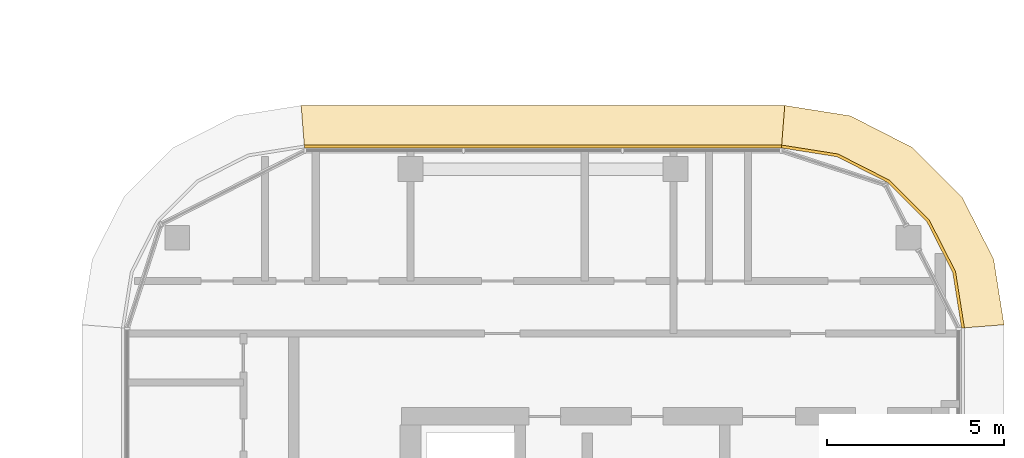
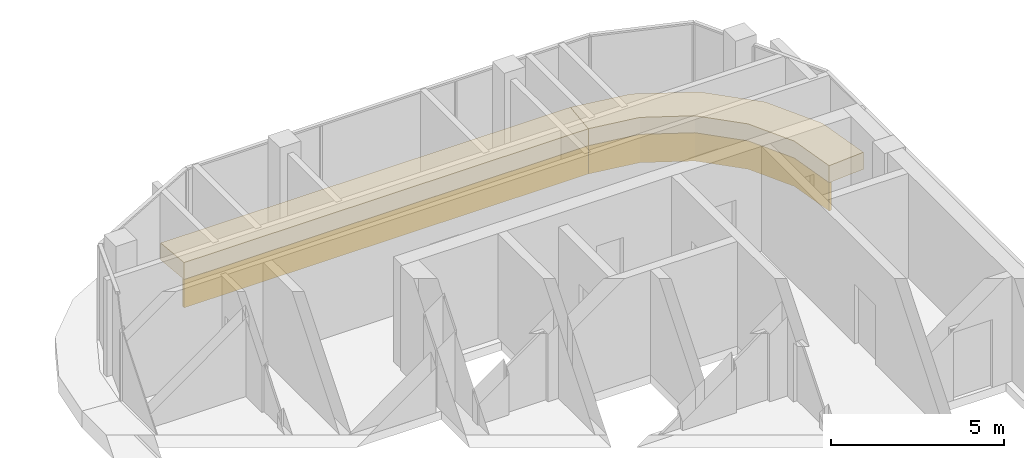
# One storey, part 33 of 33: 4 coverings.
"""IFC4 building model written with IfcOpenShell, lengths in metres."""

from ifc_helpers import new_model, si_unit, direction, frame, origin, place, context, subcontext, project, spatial, polyline, outline, extrude, material, layer, layer_set, type_object, element, save


model = new_model("IFC4")

# Units and contexts
model_context = context("Model", 3, precision=1e-05, world=origin(), true_north=direction((0.0, 1.0)))
body_context = subcontext(model_context, "Body", "Model", "MODEL_VIEW")
ifc_project = project(units=[si_unit("LENGTHUNIT", "METRE"), si_unit("AREAUNIT", "SQUARE_METRE"), si_unit("VOLUMEUNIT", "CUBIC_METRE"), si_unit("PLANEANGLEUNIT", "RADIAN"), si_unit("MASSUNIT", "GRAM", prefix="KILO")], contexts=[model_context])

# Site, building, storey
site_placement = place(None, origin())
site = spatial("IfcSite", under=ifc_project, at=site_placement, CompositionType="ELEMENT")
building_placement = place(site_placement, origin())
building = spatial("IfcBuilding", under=site, at=building_placement, Name="Ogive Portal Towers", CompositionType="ELEMENT")
storey_placement = place(building_placement, frame((0.0, 0.0, 98.199951171875)))
storey = spatial("IfcBuildingStorey", under=building, at=storey_placement, Name="L23", CompositionType="ELEMENT", Elevation=98.199951171875)

# Coverings
ifc_material = material(Name="Limestone cladding on lightweight block wall", Category="masonry")
ifc_layer_1 = layer(ifc_material, 0.080078125)
ifc_layer_set_1 = layer_set([ifc_layer_1], Name="STONE SPANDREL 80")
covering_type_1 = type_object("IfcCoveringType", Name="STONE SPANDREL 80", PredefinedType="CLADDING", material=ifc_layer_set_1)
covering_1_placement = place(storey_placement, frame((0.0, 0.0, -1.599853515625)))
element("IfcCovering", 1, at=covering_1_placement, inside=storey, type_object=covering_type_1, Name="Stone spandrel B1-F05", PredefinedType="CLADDING", context=body_context, shape_type="SweptSolid", body=[
    extrude(outline(polyline([(144.60009765625, 40.0), (144.350341796875, 41.575927734375), (143.6259765625, 42.997802734375), (142.497802734375, 44.1259765625), (141.075927734375, 44.850341796875), (139.5, 45.10009765625), (139.50634765625, 45.179931640625), (141.10107421875, 44.927490234375), (142.54541015625, 44.19140625), (143.69140625, 43.04541015625), (144.427490234375, 41.60107421875), (144.679931640625, 40.00634765625), (144.60009765625, 40.0)])), origin(), (0.0, 0.0, 1.0), 1.0),
])
covering_2_placement = place(storey_placement, frame((0.0, 0.0, -1.599853515625)))
element("IfcCovering", 2, at=covering_2_placement, inside=storey, type_object=covering_type_1, Name="Stone spandrel B1-F06", PredefinedType="CLADDING", context=body_context, shape_type="SweptSolid", body=[
    extrude(outline(polyline([(139.5, 45.10009765625), (126.0, 45.10009765625), (125.99365234375, 45.179931640625), (139.50634765625, 45.179931640625), (139.5, 45.10009765625)])), origin(), (0.0, 0.0, 1.0), 1.0),
])
ifc_layer_2 = layer(ifc_material, 0.60009765625)
ifc_layer_set_2 = layer_set([ifc_layer_2], Name="SUNSHADE LIP 600")
covering_type_2 = type_object("IfcCoveringType", Name="SUNSHADE LIP 600", PredefinedType="CLADDING", material=ifc_layer_set_2)
covering_3_placement = place(storey_placement, frame((0.0, 0.0, -0.599853515625)))
element("IfcCovering", 3, at=covering_3_placement, inside=storey, type_object=covering_type_2, Name="Sunshade lip B1-F05", PredefinedType="CLADDING", context=body_context, shape_type="SweptSolid", body=[
    extrude(outline(polyline([(144.60009765625, 40.0), (144.350341796875, 41.575927734375), (143.6259765625, 42.997802734375), (142.497802734375, 44.1259765625), (141.075927734375, 44.850341796875), (139.5, 45.10009765625), (139.594482421875, 46.300048828125), (141.451416015625, 46.005859375), (143.2119140625, 45.10888671875), (144.60888671875, 43.7119140625), (145.505859375, 41.951416015625), (145.800048828125, 40.094482421875), (144.60009765625, 40.0)])), origin(), (0.0, 0.0, 1.0), 0.599853515625),
])
covering_4_placement = place(storey_placement, frame((0.0, 0.0, -0.599853515625)))
element("IfcCovering", 4, at=covering_4_placement, inside=storey, type_object=covering_type_2, Name="Sunshade lip B1-F06", PredefinedType="CLADDING", context=body_context, shape_type="SweptSolid", body=[
    extrude(outline(polyline([(139.5, 45.10009765625), (126.0, 45.10009765625), (125.905517578125, 46.300048828125), (139.594482421875, 46.300048828125), (139.5, 45.10009765625)])), origin(), (0.0, 0.0, 1.0), 0.599853515625),
])

save(model, "model.ifc")
